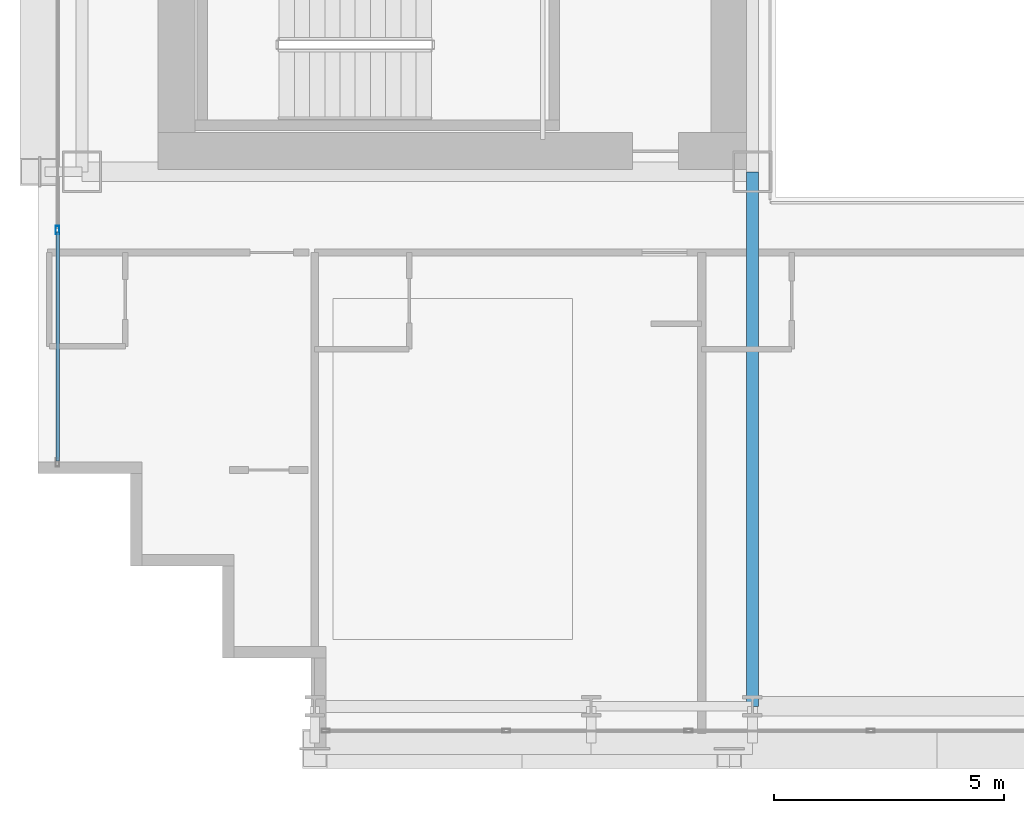
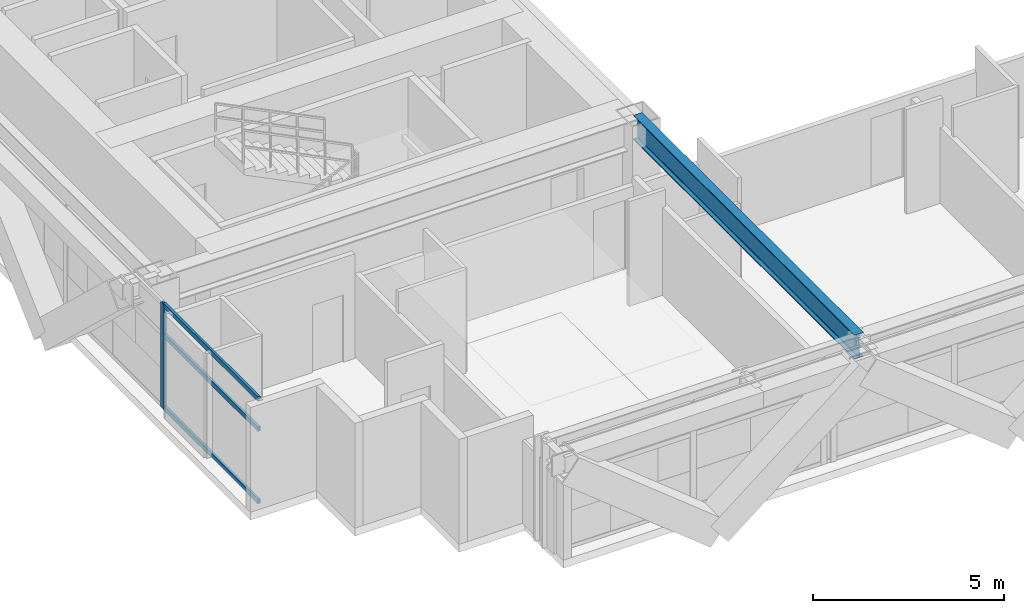
# One storey, part 3 of 38: 4 members, 1 beam, 1 element without a shape of its own.
"""IFC4 building model written with IfcOpenShell, lengths in metres."""

from ifc_helpers import new_model, si_unit, direction, frame, origin, origin_2d, place, context, subcontext, project, spatial, hollow_rectangle, i_section, extrude, source, transform, mapped, material, layer, layer_set, material_profile, profile_set, type_object, element, aggregate, save


model = new_model("IFC4")

# Units and contexts
model_context = context("Model", 3, precision=1e-05, world=origin(), true_north=direction((0.0, 1.0)))
body_context = subcontext(model_context, "Body", "Model", "MODEL_VIEW")
ifc_project = project(units=[si_unit("LENGTHUNIT", "METRE"), si_unit("AREAUNIT", "SQUARE_METRE"), si_unit("VOLUMEUNIT", "CUBIC_METRE"), si_unit("PLANEANGLEUNIT", "RADIAN"), si_unit("MASSUNIT", "GRAM", prefix="KILO")], contexts=[model_context])

# Site, building, storey
site_placement = place(None, origin())
site = spatial("IfcSite", under=ifc_project, at=site_placement, CompositionType="ELEMENT")
building_placement = place(site_placement, origin())
building = spatial("IfcBuilding", under=site, at=building_placement, Name="Ocotamira Hotel", CompositionType="ELEMENT")
storey_placement = place(building_placement, frame((0.0, 0.0, 60.0)))
storey = spatial("IfcBuildingStorey", under=building, at=storey_placement, Name="L14", CompositionType="ELEMENT", Elevation=60.0)

# Beam
ifc_material_1 = material(Name="Steel ASTM A992 Grade 50", Category="steel")
ifc_material_profile_1 = material_profile(ifc_material_1, i_section(OverallWidth=0.26611328125, OverallDepth=0.779052734375, WebThickness=0.0166015625, FlangeThickness=0.030029296875, FilletRadius=0.01806640625, at=origin_2d()), Name="W30X148")
ifc_profile_set_1 = profile_set([ifc_material_profile_1], Name="Steel ASTM A992 Grade 50")
beam_type = type_object("IfcBeamType", Name="BM-GIRD-W30X148", PredefinedType="BEAM", material=ifc_profile_set_1)
shared_shape_1 = source(origin(), body_context, "Body", "SweptSolid", [
    extrude(i_section(OverallWidth=0.26611328125, OverallDepth=0.779052734375, WebThickness=0.0166015625, FlangeThickness=0.030029296875, FilletRadius=0.01806640625, at=origin_2d()), origin(), (0.0, 0.0, 1.0), 11.60009765625),
])
beam_placement = place(storey_placement, frame((23.5, 2.949951171875, 2.96044921875), z_axis=(0.0, 1.0, 0.0), x_axis=(-1.0, 0.0, 0.0)))
element("IfcBeam", 1, at=beam_placement, inside=storey, type_object=beam_type, Name="L14 Beam X23.5 Y2.95-14.55", PredefinedType="BEAM", context=body_context, shape_type="MappedRepresentation", body=[
    mapped(shared_shape_1, transform((0.0, 0.0, 0.0), scale=1.0)),
])

# Curtain wall, members
ifc_material_2 = material(Name="Anodised pale-metal aluminium and solar glass", Category="aluminium")
ifc_layer = layer(ifc_material_2, 0.179931640625)
ifc_layer_set = layer_set([ifc_layer], Name="Anodised pale-metal aluminium and solar glass")
curtain_wall_type = type_object("IfcCurtainWallType", Name="CW-SYS2-Z1", PredefinedType="NOTDEFINED", material=ifc_layer_set)
curtain_wall_placement = place(storey_placement, origin())
curtain_wall = element("IfcCurtainWall", 2, at=curtain_wall_placement, inside=storey, type_object=curtain_wall_type, Name="L14 Curtain Wall CW-2 CW-L14-W", PredefinedType="NOTDEFINED")
ifc_material_3 = material(Name="Anodised pale-metal aluminium 6063-T6", Category="aluminium")
ifc_material_profile_2 = material_profile(ifc_material_3, hollow_rectangle(XDim=0.074951171875, YDim=0.14990234375, WallThickness=0.006103515625, at=origin_2d()), Name="HSS150X75X6")
ifc_profile_set_2 = profile_set([ifc_material_profile_2], Name="Anodised pale-metal aluminium 6063-T6")
member_type_1 = type_object("IfcMemberType", Name="CWT-150X75", PredefinedType="USERDEFINED", material=ifc_profile_set_2)
shared_shape_2 = source(origin(), body_context, "Body", "SweptSolid", [
    extrude(hollow_rectangle(XDim=0.074951171875, YDim=0.14990234375, WallThickness=0.006103515625, at=origin_2d()), origin(), (0.0, 0.0, 1.0), 4.965576171875),
])
member_1_placement = place(storey_placement, frame((8.419921875, 8.280029296875, 0.03759765625), z_axis=(0.0, 1.0, 0.0), x_axis=(-1.0, 0.0, 0.0)))
member_1 = element("IfcMember", 3, at=member_1_placement, type_object=member_type_1, Name="CW-2 transom 1.1", ObjectType="TRANSOM", PredefinedType="USERDEFINED", context=body_context, shape_type="MappedRepresentation", body=[
    mapped(shared_shape_2, transform((0.0, 0.0, 0.0), scale=1.0)),
])
member_2_placement = place(storey_placement, frame((8.419921875, 8.280029296875, 2.35009765625), z_axis=(0.0, 1.0, 0.0), x_axis=(-1.0, 0.0, 0.0)))
member_2 = element("IfcMember", 4, at=member_2_placement, type_object=member_type_1, Name="CW-2 transom 1.2", ObjectType="TRANSOM", PredefinedType="USERDEFINED", context=body_context, shape_type="MappedRepresentation", body=[
    mapped(shared_shape_2, transform((0.0, 0.0, 0.0), scale=1.0)),
])
member_3_placement = place(storey_placement, frame((8.419921875, 8.280029296875, 3.3125), z_axis=(0.0, 1.0, 0.0), x_axis=(-1.0, 0.0, 0.0)))
member_3 = element("IfcMember", 5, at=member_3_placement, type_object=member_type_1, Name="CW-2 transom 1.3", ObjectType="TRANSOM", PredefinedType="USERDEFINED", context=body_context, shape_type="MappedRepresentation", body=[
    mapped(shared_shape_2, transform((0.0, 0.0, 0.0), scale=1.0)),
])
ifc_material_profile_3 = material_profile(ifc_material_3, hollow_rectangle(XDim=0.080078125, YDim=0.179931640625, WallThickness=0.006103515625, at=origin_2d()), Name="HSS180X80X6")
ifc_profile_set_3 = profile_set([ifc_material_profile_3], Name="Anodised pale-metal aluminium 6063-T6")
member_type_2 = type_object("IfcMemberType", Name="CWM-180X75", PredefinedType="MULLION", material=ifc_profile_set_3)
shared_shape_3 = source(origin(), body_context, "Body", "SweptSolid", [
    extrude(hollow_rectangle(XDim=0.080078125, YDim=0.179931640625, WallThickness=0.006103515625, at=origin_2d()), origin(), (0.0, 0.0, 1.0), 3.35009765625),
])
member_4_placement = place(storey_placement, frame((8.419921875, 13.28564453125, 0.0), z_axis=(0.0, 0.0, 1.0), x_axis=(-1.0, 0.0, 0.0)))
member_4 = element("IfcMember", 6, at=member_4_placement, type_object=member_type_2, Name="CW-2 mullion 2", PredefinedType="MULLION", context=body_context, shape_type="MappedRepresentation", body=[
    mapped(shared_shape_3, transform((0.0, 0.0, 0.0), scale=1.0)),
])
aggregate(curtain_wall, [member_4, member_1, member_2, member_3])

save(model, "model.ifc")
